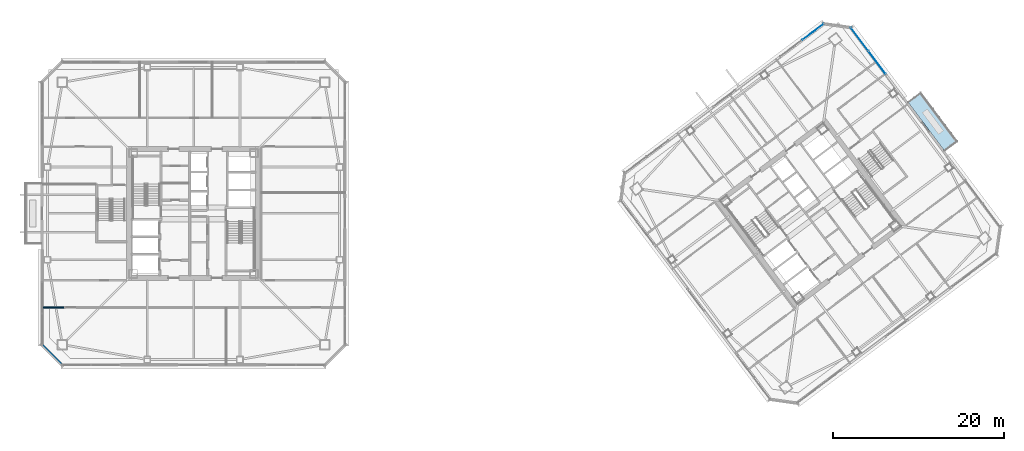
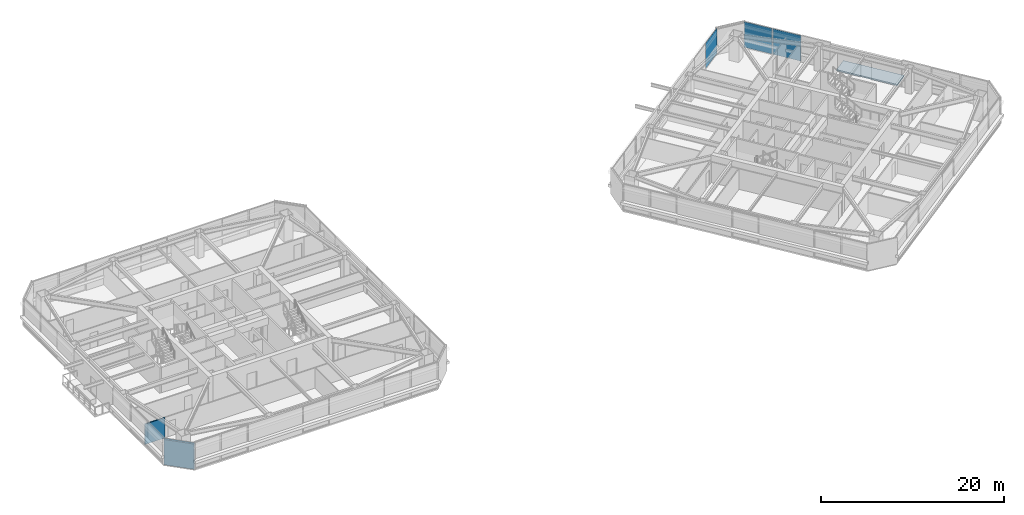
# One storey, part 32 of 43: 3 plates, 2 walls, 1 slab, 2 elements without a shape of their own.
"""IFC4 building model written with IfcOpenShell, lengths in metres."""

from ifc_helpers import new_model, si_unit, direction, frame, frame_2d, origin, origin_2d, place, context, subcontext, project, spatial, polyline, rectangle, outline, extrude, material, layer, layer_set, type_object, element, aggregate, save


model = new_model("IFC4")

# Units and contexts
model_context = context("Model", 3, precision=1e-05, world=origin(), true_north=direction((0.0, 1.0)))
body_context = subcontext(model_context, "Body", "Model", "MODEL_VIEW")
ifc_project = project(units=[si_unit("LENGTHUNIT", "METRE"), si_unit("AREAUNIT", "SQUARE_METRE"), si_unit("VOLUMEUNIT", "CUBIC_METRE"), si_unit("PLANEANGLEUNIT", "RADIAN"), si_unit("MASSUNIT", "GRAM", prefix="KILO")], contexts=[model_context])

# Site, building, storey
site_placement = place(None, origin())
site = spatial("IfcSite", under=ifc_project, at=site_placement, CompositionType="ELEMENT")
building_placement = place(site_placement, origin())
building = spatial("IfcBuilding", under=site, at=building_placement, Name="Tashvorn Skyway Center", CompositionType="ELEMENT")
storey_placement = place(building_placement, frame((0.0, 0.0, 185.39990234375)))
storey = spatial("IfcBuildingStorey", under=building, at=storey_placement, Name="L50", CompositionType="ELEMENT", Elevation=185.39990234375)

# Curtain wall, plate
ifc_material_1 = material(Name="Thermally broken bronze-anodized aluminium 6063-T6", Category="aluminium")
curtain_wall_type = type_object("IfcCurtainWallType", Name="CW-CW-Z4", PredefinedType="NOTDEFINED", material=ifc_material_1)
curtain_wall_1_placement = place(storey_placement, origin())
curtain_wall_1 = element("IfcCurtainWall", 1, at=curtain_wall_1_placement, inside=storey, type_object=curtain_wall_type, Name="Tower 2 L50 North Unitised Curtain Wall Glazing Group 3", PredefinedType="NOTDEFINED")
ifc_material_2 = material(Name="Low-E solar-control double insulating safety glass", Category="glass")
ifc_layer_1 = layer(ifc_material_2, 0.035888671875)
ifc_layer_set_1 = layer_set([ifc_layer_1], Name="Low-E solar-control double insulating safety glass")
plate_type = type_object("IfcPlateType", Name="CWP-CW-Z4", PredefinedType="CURTAIN_PANEL", material=ifc_layer_set_1)
plate_1_placement = place(storey_placement, frame((114.285888671875, 53.189453125, 0.0703125), z_axis=(0.0, 0.0, 1.0), x_axis=(0.799999999998, 0.600000000002, 0.0)))
plate_1 = element("IfcPlate", 2, at=plate_1_placement, type_object=plate_type, Name="CW-Z4 panel 2.1", PredefinedType="CURTAIN_PANEL", context=body_context, shape_type="SweptSolid", body=[
    extrude(rectangle(XDim=3.135009765625, YDim=0.035888671875, at=origin_2d()), origin(), (0.0, 0.0, 1.0), 3.409912109375),
])
aggregate(curtain_wall_1, [plate_1])

# Curtain wall, plates
curtain_wall_2_placement = place(storey_placement, origin())
curtain_wall_2 = element("IfcCurtainWall", 3, at=curtain_wall_2_placement, inside=storey, type_object=curtain_wall_type, Name="Tower 2 L50 East Curtain Wall L Glazing Group 1", PredefinedType="NOTDEFINED")
plate_2_placement = place(storey_placement, frame((119.719482421875, 52.340576171875, 0.0703125), z_axis=(0.0, 0.0, 1.0), x_axis=(0.60000232334, -0.79999825749, 0.0)))
plate_2 = element("IfcPlate", 4, at=plate_2_placement, type_object=plate_type, Name="CW-Z4 panel 1.1", PredefinedType="CURTAIN_PANEL", context=body_context, shape_type="SweptSolid", body=[
    extrude(rectangle(XDim=3.33837890625, YDim=0.035888671875, at=origin_2d()), origin(), (0.0, 0.0, 1.0), 3.409912109375),
])
plate_3_placement = place(storey_placement, frame((121.764404296875, 49.614013671875, 0.0703125), z_axis=(0.0, 0.0, 1.0), x_axis=(0.60000232334, -0.79999825749, 0.0)))
plate_3 = element("IfcPlate", 5, at=plate_3_placement, type_object=plate_type, Name="CW-Z4 panel 2.1", PredefinedType="CURTAIN_PANEL", context=body_context, shape_type="SweptSolid", body=[
    extrude(rectangle(XDim=3.33837890625, YDim=0.035888671875, at=origin_2d()), origin(), (0.0, 0.0, 1.0), 3.409912109375),
])
aggregate(curtain_wall_2, [plate_2, plate_3])

# Slab
ifc_material_3 = material(Name="Concrete C40/50", Category="concrete")
ifc_layer_2 = layer(ifc_material_3, 0.179931640625)
ifc_layer_set_2 = layer_set([ifc_layer_2], Name="Concrete C40/50")
slab_type = type_object("IfcSlabType", Name="SLAB-TERR-200", PredefinedType="FLOOR", material=ifc_layer_set_2)
slab_placement = place(storey_placement, frame((0.0, 0.0, -0.179931640625)))
element("IfcSlab", 6, at=slab_placement, inside=storey, type_object=slab_type, Name="Tower 2 L50 Spiral Planted Terrace Slab", PredefinedType="FLOOR", context=body_context, shape_type="SweptSolid", body=[
    extrude(outline(polyline([(129.672119140625, 39.25390625), (131.199951171875, 40.39990234375), (126.8798828125, 46.159912109375), (125.35205078125, 45.013916015625), (129.672119140625, 39.25390625)])), origin(), (0.0, 0.0, 1.0), 0.179931640625),
])

# Walls
ifc_material_4 = material(Name="Precast concrete C40/50", Category="concrete")
ifc_layer_3 = layer(ifc_material_4, 0.280029296875)
ifc_layer_set_3 = layer_set([ifc_layer_3], Name="Precast concrete C40/50")
wall_type_1 = type_object("IfcWallType", Name="WALL-EXT-280", PredefinedType="SOLIDWALL", material=ifc_layer_set_3)
wall_1_placement = place(storey_placement, frame((26.699951171875, 14.300048828125, 0.0), z_axis=(0.0, 0.0, 1.0), x_axis=(-0.707106781187, 0.707106781187, 0.0)))
element("IfcWall", 7, at=wall_1_placement, inside=storey, type_object=wall_type_1, Name="Tower 1 L50 SW Precast Chamfer Wall", PredefinedType="SOLIDWALL", context=body_context, shape_type="SweptSolid", body=[
    extrude(rectangle(XDim=3.39404296875, YDim=0.280029296875, at=frame_2d((1.697021484375, 0.0))), origin(), (0.0, 0.0, 1.0), 3.3701171875),
])
ifc_material_5 = material(Name="Gypsum board on cold-formed steel stud framing", Category="steel")
ifc_layer_4 = layer(ifc_material_5, 0.135009765625)
ifc_layer_set_4 = layer_set([ifc_layer_4], Name="Gypsum board on cold-formed steel stud framing")
wall_type_2 = type_object("IfcWallType", Name="WALL-PART-135", PredefinedType="PARTITIONING", material=ifc_layer_set_4)
wall_2_placement = place(storey_placement, frame((24.320068359375, 21.030029296875, 0.0), z_axis=(0.0, 0.0, 1.0), x_axis=(1.0, 0.0, 0.0)))
element("IfcWall", 8, at=wall_2_placement, inside=storey, type_object=wall_type_2, Name="Tower 1 L50 South-West Suite North Wall", PredefinedType="PARTITIONING", context=body_context, shape_type="SweptSolid", body=[
    extrude(rectangle(XDim=2.530029296875, YDim=0.135009765625, at=frame_2d((1.26513671875, 0.0))), origin(), (0.0, 0.0, 1.0), 2.72314453125),
])

save(model, "model.ifc")
